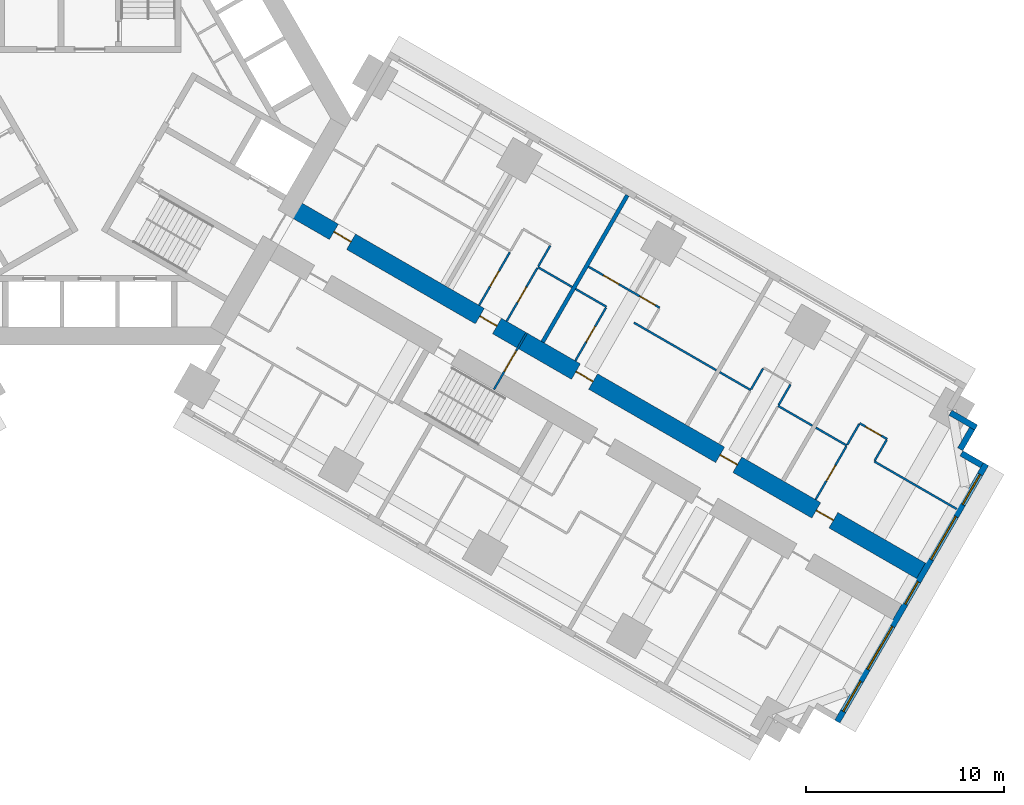
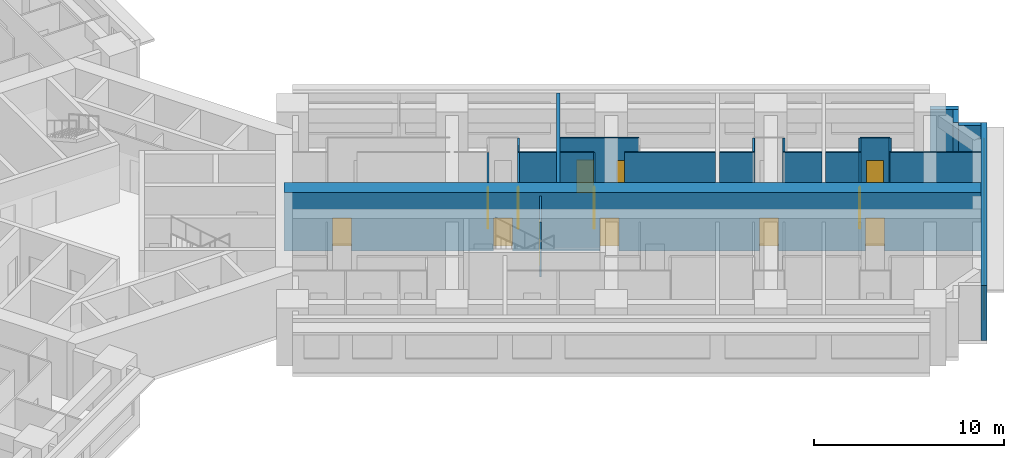
# One storey, part 12 of 16: 25 walls, 13 doors, 5 windows, 18 openings.
"""IFC4 building model written with IfcOpenShell, lengths in metres."""

from ifc_helpers import new_model, si_unit, direction, frame, frame_2d, origin, place, context, subcontext, project, spatial, rectangle, extrude, material, layer, layer_set, type_object, element, fill, save


model = new_model("IFC4")

# Units and contexts
model_context = context("Model", 3, precision=1e-05, world=origin(), true_north=direction((0.0, 1.0)))
body_context = subcontext(model_context, "Body", "Model", "MODEL_VIEW")
ifc_project = project(units=[si_unit("LENGTHUNIT", "METRE"), si_unit("AREAUNIT", "SQUARE_METRE"), si_unit("VOLUMEUNIT", "CUBIC_METRE"), si_unit("PLANEANGLEUNIT", "RADIAN"), si_unit("MASSUNIT", "GRAM", prefix="KILO")], contexts=[model_context])

# Site, building, storey
site_placement = place(None, origin())
site = spatial("IfcSite", under=ifc_project, at=site_placement, CompositionType="ELEMENT")
building_placement = place(site_placement, origin())
building = spatial("IfcBuilding", under=site, at=building_placement, Name="Impinga Residences", CompositionType="ELEMENT")
storey_placement = place(building_placement, frame((0.0, 0.0, 48.5)))
storey = spatial("IfcBuildingStorey", under=building, at=storey_placement, Name="L11", CompositionType="ELEMENT", Elevation=48.5)

# Wall, openings, doors
ifc_material_1 = material(Name="Concrete C70/85", Category="concrete")
ifc_layer_1 = layer(ifc_material_1, 0.89990234375)
ifc_layer_set_1 = layer_set([ifc_layer_1], Name="Concrete C70/85")
wall_type_1 = type_object("IfcWallType", Name="BW1 corridor buttress wall, L05 to L22 900", PredefinedType="SHEAR", material=ifc_layer_set_1)
wall_1_placement = place(storey_placement, frame((10.1103515625, -4.451416015625, 0.0), z_axis=(0.0, 0.0, 1.0), x_axis=(0.866025284237, -0.500000207062, 0.0)))
wall_1 = element("IfcWall", 1, at=wall_1_placement, inside=storey, type_object=wall_type_1, Name="Corridor wall BW1 EC L11", PredefinedType="SHEAR", context=body_context, shape_type="SweptSolid", body=[
    extrude(rectangle(XDim=36.75, YDim=0.89990234375, at=frame_2d((18.375, 0.0))), origin(), (0.0, 0.0, 1.0), 3.75),
])
opening_1_placement = place(wall_1_placement, frame((2.550048828125, 0.0, 0.0)))
opening_1 = element("IfcOpeningElement", 2, at=opening_1_placement, cuts=wall_1, Name="Opening D1", PredefinedType="OPENING", context=body_context, shape_type="SweptSolid", body=[
    extrude(rectangle(XDim=1.0, YDim=2.10009765625, at=frame_2d((0.5, 1.050048828125))), frame((0.0, 0.4599609375, 0.0), z_axis=(0.0, -1.0, 0.0), x_axis=(1.0, 0.0, 0.0)), (0.0, 0.0, 1.0), 0.919921875),
])
opening_2_placement = place(wall_1_placement, frame((11.050048828125, 0.0, 0.0)))
opening_2 = element("IfcOpeningElement", 3, at=opening_2_placement, cuts=wall_1, Name="Opening D1", PredefinedType="OPENING", context=body_context, shape_type="SweptSolid", body=[
    extrude(rectangle(XDim=1.0, YDim=2.10009765625, at=frame_2d((0.5, 1.050048828125))), frame((0.0, 0.4599609375, 0.0), z_axis=(0.0, -1.0, 0.0), x_axis=(1.0, 0.0, 0.0)), (0.0, 0.0, 1.0), 0.919921875),
])
opening_3_placement = place(wall_1_placement, frame((16.64990234375, 0.0, 0.0)))
opening_3 = element("IfcOpeningElement", 4, at=opening_3_placement, cuts=wall_1, Name="Opening D1", PredefinedType="OPENING", context=body_context, shape_type="SweptSolid", body=[
    extrude(rectangle(XDim=1.0, YDim=2.10009765625, at=frame_2d((0.5, 1.050048828125))), frame((0.0, 0.4599609375, 0.0), z_axis=(0.0, -1.0, 0.0), x_axis=(1.0, 0.0, 0.0)), (0.0, 0.0, 1.0), 0.919921875),
])
opening_4_placement = place(wall_1_placement, frame((25.050048828125, 0.0, 0.0)))
opening_4 = element("IfcOpeningElement", 5, at=opening_4_placement, cuts=wall_1, Name="Opening D1", PredefinedType="OPENING", context=body_context, shape_type="SweptSolid", body=[
    extrude(rectangle(XDim=1.0, YDim=2.10009765625, at=frame_2d((0.5, 1.050048828125))), frame((0.0, 0.4599609375, 0.0), z_axis=(0.0, -1.0, 0.0), x_axis=(1.0, 0.0, 0.0)), (0.0, 0.0, 1.0), 0.919921875),
])
opening_5_placement = place(wall_1_placement, frame((30.64990234375, 0.0, 0.0)))
opening_5 = element("IfcOpeningElement", 6, at=opening_5_placement, cuts=wall_1, Name="Opening D1", PredefinedType="OPENING", context=body_context, shape_type="SweptSolid", body=[
    extrude(rectangle(XDim=1.0, YDim=2.10009765625, at=frame_2d((0.5, 1.050048828125))), frame((0.0, 0.4599609375, 0.0), z_axis=(0.0, -1.0, 0.0), x_axis=(1.0, 0.0, 0.0)), (0.0, 0.0, 1.0), 0.919921875),
])
ifc_material_2 = material(Name="Timber door set", Category="wood")
door_type_1 = type_object("IfcDoorType", Name="D1 apartment entrance door 1000x2100", OperationType="SINGLE_SWING_LEFT", PredefinedType="DOOR", material=ifc_material_2)
door_1_placement = place(opening_1_placement, origin())
door_1 = element("IfcDoor", 7, at=door_1_placement, inside=storey, type_object=door_type_1, Name="Apartment L11-EA1 entrance", OperationType="SINGLE_SWING_LEFT", OverallHeight=2.10009765625, OverallWidth=1.0, PredefinedType="DOOR", context=body_context, shape_type="SweptSolid", body=[
    extrude(rectangle(XDim=1.0, YDim=2.10009765625, at=frame_2d((0.5, 1.050048828125))), frame((0.0, 0.02490234375, 0.0), z_axis=(0.0, -1.0, 0.0), x_axis=(1.0, 0.0, 0.0)), (0.0, 0.0, 1.0), 0.050048828125),
])
fill(opening_1, door_1)
door_2_placement = place(opening_2_placement, origin())
door_2 = element("IfcDoor", 8, at=door_2_placement, inside=storey, type_object=door_type_1, Name="Apartment L11-EA2 entrance", OperationType="SINGLE_SWING_LEFT", OverallHeight=2.10009765625, OverallWidth=1.0, PredefinedType="DOOR", context=body_context, shape_type="SweptSolid", body=[
    extrude(rectangle(XDim=1.0, YDim=2.10009765625, at=frame_2d((0.5, 1.050048828125))), frame((0.0, 0.02490234375, 0.0), z_axis=(0.0, -1.0, 0.0), x_axis=(1.0, 0.0, 0.0)), (0.0, 0.0, 1.0), 0.050048828125),
])
fill(opening_2, door_2)
door_3_placement = place(opening_3_placement, origin())
door_3 = element("IfcDoor", 9, at=door_3_placement, inside=storey, type_object=door_type_1, Name="Apartment L11-EA3 entrance", OperationType="SINGLE_SWING_LEFT", OverallHeight=2.10009765625, OverallWidth=1.0, PredefinedType="DOOR", context=body_context, shape_type="SweptSolid", body=[
    extrude(rectangle(XDim=1.0, YDim=2.10009765625, at=frame_2d((0.5, 1.050048828125))), frame((0.0, 0.02490234375, 0.0), z_axis=(0.0, -1.0, 0.0), x_axis=(1.0, 0.0, 0.0)), (0.0, 0.0, 1.0), 0.050048828125),
])
fill(opening_3, door_3)
door_4_placement = place(opening_4_placement, origin())
door_4 = element("IfcDoor", 10, at=door_4_placement, inside=storey, type_object=door_type_1, Name="Apartment L11-EA4 entrance", OperationType="SINGLE_SWING_RIGHT", OverallHeight=2.10009765625, OverallWidth=1.0, PredefinedType="DOOR", context=body_context, shape_type="SweptSolid", body=[
    extrude(rectangle(XDim=1.0, YDim=2.10009765625, at=frame_2d((0.5, 1.050048828125))), frame((0.0, 0.02490234375, 0.0), z_axis=(0.0, -1.0, 0.0), x_axis=(1.0, 0.0, 0.0)), (0.0, 0.0, 1.0), 0.050048828125),
])
fill(opening_4, door_4)
door_5_placement = place(opening_5_placement, origin())
door_5 = element("IfcDoor", 11, at=door_5_placement, inside=storey, type_object=door_type_1, Name="Apartment L11-EA5 entrance", OperationType="SINGLE_SWING_RIGHT", OverallHeight=2.10009765625, OverallWidth=1.0, PredefinedType="DOOR", context=body_context, shape_type="SweptSolid", body=[
    extrude(rectangle(XDim=1.0, YDim=2.10009765625, at=frame_2d((0.5, 1.050048828125))), frame((0.0, 0.02490234375, 0.0), z_axis=(0.0, -1.0, 0.0), x_axis=(1.0, 0.0, 0.0)), (0.0, 0.0, 1.0), 0.050048828125),
])
fill(opening_5, door_5)

# Wall, opening, door
ifc_material_3 = material(Name="Concrete blockwork", Category="masonry")
ifc_layer_2 = layer(ifc_material_3, 0.10009765625)
ifc_layer_set_2 = layer_set([ifc_layer_2], Name="CP1 core room partition, blockwork 100")
wall_type_2 = type_object("IfcWallType", Name="CP1 core room partition, blockwork 100", PredefinedType="PARTITIONING", material=ifc_layer_set_2)
wall_2_placement = place(storey_placement, frame((22.042724609375, -10.821044921875, 0.0), z_axis=(0.0, 0.0, 1.0), x_axis=(-0.50002983664, -0.866008176907, 0.0)))
wall_2 = element("IfcWall", 12, at=wall_2_placement, inside=storey, type_object=wall_type_2, Name="Core room partition, blockwork L11:E:SCR", PredefinedType="PARTITIONING", context=body_context, shape_type="SweptSolid", body=[
    extrude(rectangle(XDim=3.300048828125, YDim=0.10009765625, at=frame_2d((1.64990234375, 0.0))), origin(), (0.0, 0.0, 1.0), 3.530029296875),
])
opening_6_placement = place(wall_2_placement, frame((1.050048828125, 0.0, 0.0)))
opening_6 = element("IfcOpeningElement", 13, at=opening_6_placement, cuts=wall_2, Name="Opening D3", PredefinedType="OPENING", context=body_context, shape_type="SweptSolid", body=[
    extrude(rectangle(XDim=1.199951171875, YDim=2.10009765625, at=frame_2d((0.60009765625, 1.050048828125))), frame((0.0, 0.06005859375, 0.0), z_axis=(0.0, -1.0, 0.0), x_axis=(1.0, 0.0, 0.0)), (0.0, 0.0, 1.0), 0.1201171875),
])
door_type_2 = type_object("IfcDoorType", Name="D3 room door, leaf and a half 1200x2100", OperationType="DOUBLE_SWING_LEFT", PredefinedType="DOOR", material=ifc_material_2)
door_6_placement = place(opening_6_placement, origin())
door_6 = element("IfcDoor", 14, at=door_6_placement, inside=storey, type_object=door_type_2, Name="Corridor smoke door E", OperationType="DOUBLE_SWING_LEFT", OverallHeight=2.10009765625, OverallWidth=1.199951171875, PredefinedType="DOOR", context=body_context, shape_type="SweptSolid", body=[
    extrude(rectangle(XDim=1.199951171875, YDim=2.10009765625, at=frame_2d((0.60009765625, 1.050048828125))), frame((0.0, 0.02490234375, 0.0), z_axis=(0.0, -1.0, 0.0), x_axis=(1.0, 0.0, 0.0)), (0.0, 0.0, 1.0), 0.050048828125),
])
fill(opening_6, door_6)

# Walls
ifc_material_4 = material(Name="Terracotta rainscreen on blockwork", Category="masonry")
ifc_layer_3 = layer(ifc_material_4, 0.300048828125)
ifc_layer_set_3 = layer_set([ifc_layer_3], Name="EW1 external wall, terracotta rainscreen on blockwork 300")
wall_type_3 = type_object("IfcWallType", Name="EW1 external wall, terracotta rainscreen on blockwork 300", PredefinedType="SOLIDWALL", material=ifc_layer_set_3)
wall_3_placement = place(storey_placement, frame((43.42333984375, -14.8515625, 0.0), z_axis=(0.0, 0.0, 1.0), x_axis=(0.866031096941, -0.499990139034, 0.0)))
element("IfcWall", 15, at=wall_3_placement, inside=storey, type_object=wall_type_3, Name="External wall EW1 L11", PredefinedType="SOLIDWALL", context=body_context, shape_type="SweptSolid", body=[
    extrude(rectangle(XDim=1.5, YDim=0.300048828125, at=frame_2d((0.75, 0.0))), origin(), (0.0, 0.0, 1.0), 3.530029296875),
])
wall_4_placement = place(storey_placement, frame((44.517578125, -15.65625, 0.0), z_axis=(0.0, 0.0, 1.0), x_axis=(-0.500033551112, -0.866006032174, 0.0)))
element("IfcWall", 16, at=wall_4_placement, inside=storey, type_object=wall_type_3, Name="External wall EW1 L11", PredefinedType="SOLIDWALL", context=body_context, shape_type="SweptSolid", body=[
    extrude(rectangle(XDim=1.2001953125, YDim=0.300048828125, at=frame_2d((0.60009765625, 0.0))), origin(), (0.0, 0.0, 1.0), 3.530029296875),
])
wall_5_placement = place(storey_placement, frame((43.976806640625, -16.903076171875, 0.0), z_axis=(0.0, 0.0, 1.0), x_axis=(0.866059708757, -0.499940577336, 0.0)))
element("IfcWall", 17, at=wall_5_placement, inside=storey, type_object=wall_type_3, Name="External wall EW1 L11", PredefinedType="SOLIDWALL", context=body_context, shape_type="SweptSolid", body=[
    extrude(rectangle(XDim=1.195068359375, YDim=0.300048828125, at=frame_2d((0.59765625, 0.0))), origin(), (0.0, 0.0, 1.0), 3.530029296875),
])

# Wall, openings, windows
wall_6_placement = place(storey_placement, frame((45.216552734375, -17.445556640625, 0.0), z_axis=(0.0, 0.0, 1.0), x_axis=(-0.499997186618, -0.866027028085, 0.0)))
wall_6 = element("IfcWall", 18, at=wall_6_placement, inside=storey, type_object=wall_type_3, Name="External wall EW1 L11", PredefinedType="SOLIDWALL", context=body_context, shape_type="SweptSolid", body=[
    extrude(rectangle(XDim=15.0, YDim=0.300048828125, at=frame_2d((7.5, 0.0))), origin(), (0.0, 0.0, 1.0), 3.530029296875),
])
opening_7_placement = place(wall_6_placement, frame((0.60009765625, 0.0, 0.89990234375)))
opening_7 = element("IfcOpeningElement", 19, at=opening_7_placement, cuts=wall_6, Name="Opening W1", PredefinedType="OPENING", context=body_context, shape_type="SweptSolid", body=[
    extrude(rectangle(XDim=1.75, YDim=2.050048828125, at=frame_2d((0.875, 1.02490234375))), frame((0.0, 0.159912109375, 0.0), z_axis=(0.0, -1.0, 0.0), x_axis=(1.0, 0.0, 0.0)), (0.0, 0.0, 1.0), 0.320068359375),
])
opening_8_placement = place(wall_6_placement, frame((3.050048828125, 0.0, 0.89990234375)))
opening_8 = element("IfcOpeningElement", 20, at=opening_8_placement, cuts=wall_6, Name="Opening W2", PredefinedType="OPENING", context=body_context, shape_type="SweptSolid", body=[
    extrude(rectangle(XDim=2.5, YDim=2.050048828125, at=frame_2d((1.25, 1.02490234375))), frame((0.0, 0.159912109375, 0.0), z_axis=(0.0, -1.0, 0.0), x_axis=(1.0, 0.0, 0.0)), (0.0, 0.0, 1.0), 0.320068359375),
])
opening_9_placement = place(wall_6_placement, frame((6.85009765625, 0.0, 0.89990234375)))
opening_9 = element("IfcOpeningElement", 21, at=opening_9_placement, cuts=wall_6, Name="Opening WE1", PredefinedType="OPENING", context=body_context, shape_type="SweptSolid", body=[
    extrude(rectangle(XDim=1.300048828125, YDim=2.050048828125, at=frame_2d((0.64990234375, 1.02490234375))), frame((0.0, 0.159912109375, 0.0), z_axis=(0.0, -1.0, 0.0), x_axis=(1.0, 0.0, 0.0)), (0.0, 0.0, 1.0), 0.320068359375),
])
opening_10_placement = place(wall_6_placement, frame((9.449951171875, 0.0, 0.89990234375)))
opening_10 = element("IfcOpeningElement", 22, at=opening_10_placement, cuts=wall_6, Name="Opening W2", PredefinedType="OPENING", context=body_context, shape_type="SweptSolid", body=[
    extrude(rectangle(XDim=2.5, YDim=2.050048828125, at=frame_2d((1.25, 1.02490234375))), frame((0.0, 0.159912109375, 0.0), z_axis=(0.0, -1.0, 0.0), x_axis=(1.0, 0.0, 0.0)), (0.0, 0.0, 1.0), 0.320068359375),
])
opening_11_placement = place(wall_6_placement, frame((12.64990234375, 0.0, 0.89990234375)))
opening_11 = element("IfcOpeningElement", 23, at=opening_11_placement, cuts=wall_6, Name="Opening W1", PredefinedType="OPENING", context=body_context, shape_type="SweptSolid", body=[
    extrude(rectangle(XDim=1.75, YDim=2.050048828125, at=frame_2d((0.875, 1.02490234375))), frame((0.0, 0.159912109375, 0.0), z_axis=(0.0, -1.0, 0.0), x_axis=(1.0, 0.0, 0.0)), (0.0, 0.0, 1.0), 0.320068359375),
])
ifc_material_5 = material(Name="Aluminium window, clear double glazing", Category="aluminium")
window_type_1 = type_object("IfcWindowType", Name="W1 ribbon window 1750x2050", PartitioningType="SINGLE_PANEL", PredefinedType="WINDOW", material=ifc_material_5)
window_1_placement = place(opening_7_placement, origin())
window_1 = element("IfcWindow", 24, at=window_1_placement, inside=storey, type_object=window_type_1, Name="Window L11", OverallHeight=2.050048828125, OverallWidth=1.75, PartitioningType="SINGLE_PANEL", PredefinedType="WINDOW", context=body_context, shape_type="SweptSolid", body=[
    extrude(rectangle(XDim=1.75, YDim=2.050048828125, at=frame_2d((0.875, 1.02490234375))), frame((0.0, 0.030029296875, 0.0), z_axis=(0.0, -1.0, 0.0), x_axis=(1.0, 0.0, 0.0)), (0.0, 0.0, 1.0), 0.06005859375),
])
fill(opening_7, window_1)
window_2_placement = place(opening_11_placement, origin())
window_2 = element("IfcWindow", 25, at=window_2_placement, inside=storey, type_object=window_type_1, Name="Window L11", OverallHeight=2.050048828125, OverallWidth=1.75, PartitioningType="SINGLE_PANEL", PredefinedType="WINDOW", context=body_context, shape_type="SweptSolid", body=[
    extrude(rectangle(XDim=1.75, YDim=2.050048828125, at=frame_2d((0.875, 1.02490234375))), frame((0.0, 0.030029296875, 0.0), z_axis=(0.0, -1.0, 0.0), x_axis=(1.0, 0.0, 0.0)), (0.0, 0.0, 1.0), 0.06005859375),
])
fill(opening_11, window_2)
window_type_2 = type_object("IfcWindowType", Name="W2 ribbon window 2500x2050", PartitioningType="SINGLE_PANEL", PredefinedType="WINDOW", material=ifc_material_5)
window_3_placement = place(opening_8_placement, origin())
window_3 = element("IfcWindow", 26, at=window_3_placement, inside=storey, type_object=window_type_2, Name="Window L11", OverallHeight=2.050048828125, OverallWidth=2.5, PartitioningType="SINGLE_PANEL", PredefinedType="WINDOW", context=body_context, shape_type="SweptSolid", body=[
    extrude(rectangle(XDim=2.5, YDim=2.050048828125, at=frame_2d((1.25, 1.02490234375))), frame((0.0, 0.030029296875, 0.0), z_axis=(0.0, -1.0, 0.0), x_axis=(1.0, 0.0, 0.0)), (0.0, 0.0, 1.0), 0.06005859375),
])
fill(opening_8, window_3)
window_4_placement = place(opening_10_placement, origin())
window_4 = element("IfcWindow", 27, at=window_4_placement, inside=storey, type_object=window_type_2, Name="Window L11", OverallHeight=2.050048828125, OverallWidth=2.5, PartitioningType="SINGLE_PANEL", PredefinedType="WINDOW", context=body_context, shape_type="SweptSolid", body=[
    extrude(rectangle(XDim=2.5, YDim=2.050048828125, at=frame_2d((1.25, 1.02490234375))), frame((0.0, 0.030029296875, 0.0), z_axis=(0.0, -1.0, 0.0), x_axis=(1.0, 0.0, 0.0)), (0.0, 0.0, 1.0), 0.06005859375),
])
fill(opening_10, window_4)
window_type_3 = type_object("IfcWindowType", Name="WE1 corridor window 1300x2050", PartitioningType="SINGLE_PANEL", PredefinedType="WINDOW", material=ifc_material_5)
window_5_placement = place(opening_9_placement, origin())
window_5 = element("IfcWindow", 28, at=window_5_placement, inside=storey, type_object=window_type_3, Name="Window L11", OverallHeight=2.050048828125, OverallWidth=1.300048828125, PartitioningType="SINGLE_PANEL", PredefinedType="WINDOW", context=body_context, shape_type="SweptSolid", body=[
    extrude(rectangle(XDim=1.300048828125, YDim=2.050048828125, at=frame_2d((0.64990234375, 1.02490234375))), frame((0.0, 0.030029296875, 0.0), z_axis=(0.0, -1.0, 0.0), x_axis=(1.0, 0.0, 0.0)), (0.0, 0.0, 1.0), 0.06005859375),
])
fill(opening_9, window_5)

# Walls
ifc_material_6 = material(Name="Gypsum board on steel studs", Category="steel")
ifc_layer_4 = layer(ifc_material_6, 0.10009765625)
ifc_layer_set_4 = layer_set([ifc_layer_4], Name="Gypsum board on steel studs")
wall_type_4 = type_object("IfcWallType", Name="IP1 partition 100", PredefinedType="PARTITIONING", material=ifc_layer_set_4)
wall_7_placement = place(storey_placement, frame((22.605712890625, -7.5087890625, 0.0), z_axis=(0.0, 0.0, 1.0), x_axis=(0.866010750942, -0.50002537861, 0.0)))
element("IfcWall", 29, at=wall_7_placement, inside=storey, type_object=wall_type_4, Name="Partition L11-EA2:DIV1", PredefinedType="PARTITIONING", context=body_context, shape_type="SweptSolid", body=[
    extrude(rectangle(XDim=2.0, YDim=0.10009765625, at=frame_2d((1.0, 0.0))), origin(), (0.0, 0.0, 1.0), 3.530029296875),
])
wall_8_placement = place(storey_placement, frame((22.630615234375, -7.465576171875, 0.0), z_axis=(0.0, 0.0, 1.0), x_axis=(0.500033551112, 0.866006032174, 0.0)))
element("IfcWall", 30, at=wall_8_placement, inside=storey, type_object=wall_type_4, Name="Partition L11-EA2:SE1", PredefinedType="PARTITIONING", context=body_context, shape_type="SweptSolid", body=[
    extrude(rectangle(XDim=1.2001953125, YDim=0.10009765625, at=frame_2d((0.60009765625, 0.0))), origin(), (0.0, 0.0, 1.0), 3.530029296875),
])

# Wall, opening, door
wall_9_placement = place(storey_placement, frame((19.64501953125, -9.436767578125, 0.0), z_axis=(0.0, 0.0, 1.0), x_axis=(0.500026960575, 0.86600983753, 0.0)))
wall_9 = element("IfcWall", 31, at=wall_9_placement, inside=storey, type_object=wall_type_4, Name="Partition L11-EA2:IB1", PredefinedType="PARTITIONING", context=body_context, shape_type="SweptSolid", body=[
    extrude(rectangle(XDim=3.099853515625, YDim=0.10009765625, at=frame_2d((1.5498046875, 0.0))), origin(), (0.0, 0.0, 1.0), 3.530029296875),
])
opening_12_placement = place(wall_9_placement, frame((1.10009765625, 0.0, 0.0)))
opening_12 = element("IfcOpeningElement", 32, at=opening_12_placement, cuts=wall_9, Name="Opening D2", PredefinedType="OPENING", context=body_context, shape_type="SweptSolid", body=[
    extrude(rectangle(XDim=0.89990234375, YDim=2.10009765625, at=frame_2d((0.449951171875, 1.050048828125))), frame((0.0, 0.06005859375, 0.0), z_axis=(0.0, -1.0, 0.0), x_axis=(1.0, 0.0, 0.0)), (0.0, 0.0, 1.0), 0.1201171875),
])
door_type_3 = type_object("IfcDoorType", Name="D2 internal door 900x2100", OperationType="SINGLE_SWING_LEFT", PredefinedType="DOOR", material=ifc_material_2)
door_7_placement = place(opening_12_placement, origin())
door_7 = element("IfcDoor", 33, at=door_7_placement, inside=storey, type_object=door_type_3, Name="Apartment L11-EA2 bathroom door", OperationType="SINGLE_SWING_LEFT", OverallHeight=2.10009765625, OverallWidth=0.89990234375, PredefinedType="DOOR", context=body_context, shape_type="SweptSolid", body=[
    extrude(rectangle(XDim=0.89990234375, YDim=2.10009765625, at=frame_2d((0.449951171875, 1.050048828125))), frame((0.0, 0.02490234375, 0.0), z_axis=(0.0, -1.0, 0.0), x_axis=(1.0, 0.0, 0.0)), (0.0, 0.0, 1.0), 0.050048828125),
])
fill(opening_12, door_7)

wall_10_placement = place(storey_placement, frame((21.03076171875, -10.23681640625, 0.0), z_axis=(0.0, 0.0, 1.0), x_axis=(0.500026960575, 0.86600983753, 0.0)))
wall_10 = element("IfcWall", 34, at=wall_10_placement, inside=storey, type_object=wall_type_4, Name="Partition L11-EA2:IB2", PredefinedType="PARTITIONING", context=body_context, shape_type="SweptSolid", body=[
    extrude(rectangle(XDim=3.099853515625, YDim=0.10009765625, at=frame_2d((1.5498046875, 0.0))), origin(), (0.0, 0.0, 1.0), 3.530029296875),
])
opening_13_placement = place(wall_10_placement, frame((1.10009765625, 0.0, 0.0)))
opening_13 = element("IfcOpeningElement", 35, at=opening_13_placement, cuts=wall_10, Name="Opening D2", PredefinedType="OPENING", context=body_context, shape_type="SweptSolid", body=[
    extrude(rectangle(XDim=0.89990234375, YDim=2.10009765625, at=frame_2d((0.449951171875, 1.050048828125))), frame((0.0, 0.06005859375, 0.0), z_axis=(0.0, -1.0, 0.0), x_axis=(1.0, 0.0, 0.0)), (0.0, 0.0, 1.0), 0.1201171875),
])
door_8_placement = place(opening_13_placement, origin())
door_8 = element("IfcDoor", 36, at=door_8_placement, inside=storey, type_object=door_type_3, Name="Apartment L11-EA2 WC door", OperationType="SINGLE_SWING_LEFT", OverallHeight=2.10009765625, OverallWidth=0.89990234375, PredefinedType="DOOR", context=body_context, shape_type="SweptSolid", body=[
    extrude(rectangle(XDim=0.89990234375, YDim=2.10009765625, at=frame_2d((0.449951171875, 1.050048828125))), frame((0.0, 0.02490234375, 0.0), z_axis=(0.0, -1.0, 0.0), x_axis=(1.0, 0.0, 0.0)), (0.0, 0.0, 1.0), 0.050048828125),
])
fill(opening_13, door_8)

# Walls
wall_11_placement = place(storey_placement, frame((24.510986328125, -8.60888671875, 0.0), z_axis=(0.0, 0.0, 1.0), x_axis=(0.866047807691, -0.499961193289, 0.0)))
element("IfcWall", 37, at=wall_11_placement, inside=storey, type_object=wall_type_4, Name="Partition L11-EA3:DIV0", PredefinedType="PARTITIONING", context=body_context, shape_type="SweptSolid", body=[
    extrude(rectangle(XDim=1.800048828125, YDim=0.10009765625, at=frame_2d((0.89990234375, 0.0))), origin(), (0.0, 0.0, 1.0), 3.530029296875),
])
wall_12_placement = place(storey_placement, frame((27.45556640625, -10.308837890625, 0.0), z_axis=(0.0, 0.0, 1.0), x_axis=(0.866024647952, -0.500001309137, 0.0)))
element("IfcWall", 38, at=wall_12_placement, inside=storey, type_object=wall_type_4, Name="Partition L11-EA3:DIV1", PredefinedType="PARTITIONING", context=body_context, shape_type="SweptSolid", body=[
    extrude(rectangle(XDim=4.7998046875, YDim=0.10009765625, at=frame_2d((2.39990234375, 0.0))), origin(), (0.0, 0.0, 1.0), 3.530029296875),
])

# Wall, openings, doors
wall_13_placement = place(storey_placement, frame((25.160888671875, -7.48291015625, 0.0), z_axis=(0.0, 0.0, 1.0), x_axis=(0.866004344652, -0.500036473714, 0.0)))
wall_13 = element("IfcWall", 39, at=wall_13_placement, inside=storey, type_object=wall_type_4, Name="Partition L11-EA3:STRIP", PredefinedType="PARTITIONING", context=body_context, shape_type="SweptSolid", body=[
    extrude(rectangle(XDim=4.150146484375, YDim=0.10009765625, at=frame_2d((2.0751953125, 0.0))), origin(), (0.0, 0.0, 1.0), 3.530029296875),
])
opening_14_placement = place(wall_13_placement, frame((0.875, 0.0, 0.0)))
opening_14 = element("IfcOpeningElement", 40, at=opening_14_placement, cuts=wall_13, Name="Opening D2", PredefinedType="OPENING", context=body_context, shape_type="SweptSolid", body=[
    extrude(rectangle(XDim=0.89990234375, YDim=2.10009765625, at=frame_2d((0.449951171875, 1.050048828125))), frame((0.0, 0.06005859375, 0.0), z_axis=(0.0, -1.0, 0.0), x_axis=(1.0, 0.0, 0.0)), (0.0, 0.0, 1.0), 0.1201171875),
])
opening_15_placement = place(wall_13_placement, frame((3.0, 0.0, 0.0)))
opening_15 = element("IfcOpeningElement", 41, at=opening_15_placement, cuts=wall_13, Name="Opening D2", PredefinedType="OPENING", context=body_context, shape_type="SweptSolid", body=[
    extrude(rectangle(XDim=0.89990234375, YDim=2.10009765625, at=frame_2d((0.449951171875, 1.050048828125))), frame((0.0, 0.06005859375, 0.0), z_axis=(0.0, -1.0, 0.0), x_axis=(1.0, 0.0, 0.0)), (0.0, 0.0, 1.0), 0.1201171875),
])
door_9_placement = place(opening_14_placement, origin())
door_9 = element("IfcDoor", 42, at=door_9_placement, inside=storey, type_object=door_type_3, Name="Apartment L11-EA3 room door", OperationType="SINGLE_SWING_LEFT", OverallHeight=2.10009765625, OverallWidth=0.89990234375, PredefinedType="DOOR", context=body_context, shape_type="SweptSolid", body=[
    extrude(rectangle(XDim=0.89990234375, YDim=2.10009765625, at=frame_2d((0.449951171875, 1.050048828125))), frame((0.0, 0.02490234375, 0.0), z_axis=(0.0, -1.0, 0.0), x_axis=(1.0, 0.0, 0.0)), (0.0, 0.0, 1.0), 0.050048828125),
])
fill(opening_14, door_9)
door_10_placement = place(opening_15_placement, origin())
door_10 = element("IfcDoor", 43, at=door_10_placement, inside=storey, type_object=door_type_3, Name="Apartment L11-EA3 room door", OperationType="SINGLE_SWING_RIGHT", OverallHeight=2.10009765625, OverallWidth=0.89990234375, PredefinedType="DOOR", context=body_context, shape_type="SweptSolid", body=[
    extrude(rectangle(XDim=0.89990234375, YDim=2.10009765625, at=frame_2d((0.449951171875, 1.050048828125))), frame((0.0, 0.02490234375, 0.0), z_axis=(0.0, -1.0, 0.0), x_axis=(1.0, 0.0, 0.0)), (0.0, 0.0, 1.0), 0.050048828125),
])
fill(opening_15, door_10)

# Wall, opening, door
wall_14_placement = place(storey_placement, frame((24.494873046875, -12.23681640625, 0.0), z_axis=(0.0, 0.0, 1.0), x_axis=(0.500026960575, 0.86600983753, 0.0)))
wall_14 = element("IfcWall", 44, at=wall_14_placement, inside=storey, type_object=wall_type_4, Name="Partition L11-EA3:IB1", PredefinedType="PARTITIONING", context=body_context, shape_type="SweptSolid", body=[
    extrude(rectangle(XDim=3.099853515625, YDim=0.10009765625, at=frame_2d((1.5498046875, 0.0))), origin(), (0.0, 0.0, 1.0), 3.530029296875),
])
opening_16_placement = place(wall_14_placement, frame((1.10009765625, 0.0, 0.0)))
opening_16 = element("IfcOpeningElement", 45, at=opening_16_placement, cuts=wall_14, Name="Opening D2", PredefinedType="OPENING", context=body_context, shape_type="SweptSolid", body=[
    extrude(rectangle(XDim=0.89990234375, YDim=2.10009765625, at=frame_2d((0.449951171875, 1.050048828125))), frame((0.0, 0.06005859375, 0.0), z_axis=(0.0, -1.0, 0.0), x_axis=(1.0, 0.0, 0.0)), (0.0, 0.0, 1.0), 0.1201171875),
])
door_11_placement = place(opening_16_placement, origin())
door_11 = element("IfcDoor", 46, at=door_11_placement, inside=storey, type_object=door_type_3, Name="Apartment L11-EA3 bathroom door", OperationType="SINGLE_SWING_LEFT", OverallHeight=2.10009765625, OverallWidth=0.89990234375, PredefinedType="DOOR", context=body_context, shape_type="SweptSolid", body=[
    extrude(rectangle(XDim=0.89990234375, YDim=2.10009765625, at=frame_2d((0.449951171875, 1.050048828125))), frame((0.0, 0.02490234375, 0.0), z_axis=(0.0, -1.0, 0.0), x_axis=(1.0, 0.0, 0.0)), (0.0, 0.0, 1.0), 0.050048828125),
])
fill(opening_16, door_11)

# Walls
wall_15_placement = place(storey_placement, frame((31.78564453125, -12.808837890625, 0.0), z_axis=(0.0, 0.0, 1.0), x_axis=(0.866047807691, -0.499961193289, 0.0)))
element("IfcWall", 47, at=wall_15_placement, inside=storey, type_object=wall_type_4, Name="Partition L11-EA4:DIV0", PredefinedType="PARTITIONING", context=body_context, shape_type="SweptSolid", body=[
    extrude(rectangle(XDim=1.800048828125, YDim=0.10009765625, at=frame_2d((0.89990234375, 0.0))), origin(), (0.0, 0.0, 1.0), 3.530029296875),
])
wall_16_placement = place(storey_placement, frame((34.72998046875, -14.5087890625, 0.0), z_axis=(0.0, 0.0, 1.0), x_axis=(0.866041268327, -0.499972520799, 0.0)))
element("IfcWall", 48, at=wall_16_placement, inside=storey, type_object=wall_type_4, Name="Partition L11-EA4:DIV1", PredefinedType="PARTITIONING", context=body_context, shape_type="SweptSolid", body=[
    extrude(rectangle(XDim=2.0, YDim=0.10009765625, at=frame_2d((1.0, 0.0))), origin(), (0.0, 0.0, 1.0), 3.530029296875),
])
wall_17_placement = place(storey_placement, frame((33.369384765625, -13.66552734375, 0.0), z_axis=(0.0, 0.0, 1.0), x_axis=(0.500033551112, 0.866006032174, 0.0)))
element("IfcWall", 49, at=wall_17_placement, inside=storey, type_object=wall_type_4, Name="Partition L11-EA4:SE0", PredefinedType="PARTITIONING", context=body_context, shape_type="SweptSolid", body=[
    extrude(rectangle(XDim=1.2001953125, YDim=0.10009765625, at=frame_2d((0.60009765625, 0.0))), origin(), (0.0, 0.0, 1.0), 3.530029296875),
])
wall_18_placement = place(storey_placement, frame((34.755126953125, -14.465576171875, 0.0), z_axis=(0.0, 0.0, 1.0), x_axis=(0.499880961361, 0.866094119867, 0.0)))
element("IfcWall", 50, at=wall_18_placement, inside=storey, type_object=wall_type_4, Name="Partition L11-EA4:SE1", PredefinedType="PARTITIONING", context=body_context, shape_type="SweptSolid", body=[
    extrude(rectangle(XDim=1.199951171875, YDim=0.10009765625, at=frame_2d((0.60009765625, 0.0))), origin(), (0.0, 0.0, 1.0), 3.530029296875),
])
wall_19_placement = place(storey_placement, frame((36.63525390625, -15.60888671875, 0.0), z_axis=(0.0, 0.0, 1.0), x_axis=(0.866047807691, -0.499961193289, 0.0)))
element("IfcWall", 51, at=wall_19_placement, inside=storey, type_object=wall_type_4, Name="Partition L11-EA5:DIV0", PredefinedType="PARTITIONING", context=body_context, shape_type="SweptSolid", body=[
    extrude(rectangle(XDim=1.800048828125, YDim=0.10009765625, at=frame_2d((0.89990234375, 0.0))), origin(), (0.0, 0.0, 1.0), 3.530029296875),
])
wall_20_placement = place(storey_placement, frame((39.579833984375, -17.308837890625, 0.0), z_axis=(0.0, 0.0, 1.0), x_axis=(0.866037363387, -0.499979284789, 0.0)))
element("IfcWall", 52, at=wall_20_placement, inside=storey, type_object=wall_type_4, Name="Partition L11-EA5:DIV1", PredefinedType="PARTITIONING", context=body_context, shape_type="SweptSolid", body=[
    extrude(rectangle(XDim=4.800048828125, YDim=0.10009765625, at=frame_2d((2.39990234375, 0.0))), origin(), (0.0, 0.0, 1.0), 3.530029296875),
])

# Wall, opening, door
wall_21_placement = place(storey_placement, frame((38.84423828125, -15.383056640625, 0.0), z_axis=(0.0, 0.0, 1.0), x_axis=(0.865989903783, -0.500061482766, 0.0)))
wall_21 = element("IfcWall", 53, at=wall_21_placement, inside=storey, type_object=wall_type_4, Name="Partition L11-EA5:STRIP", PredefinedType="PARTITIONING", context=body_context, shape_type="SweptSolid", body=[
    extrude(rectangle(XDim=1.599853515625, YDim=0.10009765625, at=frame_2d((0.7998046875, 0.0))), origin(), (0.0, 0.0, 1.0), 3.530029296875),
])
opening_17_placement = place(wall_21_placement, frame((0.35009765625, 0.0, 0.0)))
opening_17 = element("IfcOpeningElement", 54, at=opening_17_placement, cuts=wall_21, Name="Opening D2", PredefinedType="OPENING", context=body_context, shape_type="SweptSolid", body=[
    extrude(rectangle(XDim=0.89990234375, YDim=2.10009765625, at=frame_2d((0.449951171875, 1.050048828125))), frame((0.0, 0.06005859375, 0.0), z_axis=(0.0, -1.0, 0.0), x_axis=(1.0, 0.0, 0.0)), (0.0, 0.0, 1.0), 0.1201171875),
])
door_12_placement = place(opening_17_placement, origin())
door_12 = element("IfcDoor", 55, at=door_12_placement, inside=storey, type_object=door_type_3, Name="Apartment L11-EA5 room door", OperationType="SINGLE_SWING_LEFT", OverallHeight=2.10009765625, OverallWidth=0.89990234375, PredefinedType="DOOR", context=body_context, shape_type="SweptSolid", body=[
    extrude(rectangle(XDim=0.89990234375, YDim=2.10009765625, at=frame_2d((0.449951171875, 1.050048828125))), frame((0.0, 0.02490234375, 0.0), z_axis=(0.0, -1.0, 0.0), x_axis=(1.0, 0.0, 0.0)), (0.0, 0.0, 1.0), 0.050048828125),
])
fill(opening_17, door_12)

# Walls
wall_22_placement = place(storey_placement, frame((38.21923828125, -16.465576171875, 0.0), z_axis=(0.0, 0.0, 1.0), x_axis=(0.499880961361, 0.866094119867, 0.0)))
element("IfcWall", 56, at=wall_22_placement, inside=storey, type_object=wall_type_4, Name="Partition L11-EA5:SE0", PredefinedType="PARTITIONING", context=body_context, shape_type="SweptSolid", body=[
    extrude(rectangle(XDim=1.199951171875, YDim=0.10009765625, at=frame_2d((0.60009765625, 0.0))), origin(), (0.0, 0.0, 1.0), 3.530029296875),
])
wall_23_placement = place(storey_placement, frame((39.604736328125, -17.265625, 0.0), z_axis=(0.0, 0.0, 1.0), x_axis=(0.500033551112, 0.866006032174, 0.0)))
element("IfcWall", 57, at=wall_23_placement, inside=storey, type_object=wall_type_4, Name="Partition L11-EA5:SE1", PredefinedType="PARTITIONING", context=body_context, shape_type="SweptSolid", body=[
    extrude(rectangle(XDim=1.2001953125, YDim=0.10009765625, at=frame_2d((0.60009765625, 0.0))), origin(), (0.0, 0.0, 1.0), 3.530029296875),
])

# Wall, opening, door
wall_24_placement = place(storey_placement, frame((36.619140625, -19.23681640625, 0.0), z_axis=(0.0, 0.0, 1.0), x_axis=(0.500026960575, 0.86600983753, 0.0)))
wall_24 = element("IfcWall", 58, at=wall_24_placement, inside=storey, type_object=wall_type_4, Name="Partition L11-EA5:IB1", PredefinedType="PARTITIONING", context=body_context, shape_type="SweptSolid", body=[
    extrude(rectangle(XDim=3.099853515625, YDim=0.10009765625, at=frame_2d((1.5498046875, 0.0))), origin(), (0.0, 0.0, 1.0), 3.530029296875),
])
opening_18_placement = place(wall_24_placement, frame((1.10009765625, 0.0, 0.0)))
opening_18 = element("IfcOpeningElement", 59, at=opening_18_placement, cuts=wall_24, Name="Opening D2", PredefinedType="OPENING", context=body_context, shape_type="SweptSolid", body=[
    extrude(rectangle(XDim=0.89990234375, YDim=2.10009765625, at=frame_2d((0.449951171875, 1.050048828125))), frame((0.0, 0.06005859375, 0.0), z_axis=(0.0, -1.0, 0.0), x_axis=(1.0, 0.0, 0.0)), (0.0, 0.0, 1.0), 0.1201171875),
])
door_13_placement = place(opening_18_placement, origin())
door_13 = element("IfcDoor", 60, at=door_13_placement, inside=storey, type_object=door_type_3, Name="Apartment L11-EA5 bathroom door", OperationType="SINGLE_SWING_LEFT", OverallHeight=2.10009765625, OverallWidth=0.89990234375, PredefinedType="DOOR", context=body_context, shape_type="SweptSolid", body=[
    extrude(rectangle(XDim=0.89990234375, YDim=2.10009765625, at=frame_2d((0.449951171875, 1.050048828125))), frame((0.0, 0.02490234375, 0.0), z_axis=(0.0, -1.0, 0.0), x_axis=(1.0, 0.0, 0.0)), (0.0, 0.0, 1.0), 0.050048828125),
])
fill(opening_18, door_13)

# Wall
ifc_layer_5 = layer(ifc_material_3, 0.199951171875)
ifc_layer_set_5 = layer_set([ifc_layer_5], Name="PW1 party wall between apartments 200")
wall_type_5 = type_object("IfcWallType", Name="PW1 party wall between apartments 200", PredefinedType="SOLIDWALL", material=ifc_layer_set_5)
wall_25_placement = place(storey_placement, frame((22.849365234375, -11.286865234375, 0.0), z_axis=(0.0, 0.0, 1.0), x_axis=(0.499990227581, 0.86603104582, 0.0)))
element("IfcWall", 61, at=wall_25_placement, inside=storey, type_object=wall_type_5, Name="Party wall between apartments L11-EA2:PARTY", PredefinedType="SOLIDWALL", context=body_context, shape_type="SweptSolid", body=[
    extrude(rectangle(XDim=8.550048828125, YDim=0.199951171875, at=frame_2d((4.27490234375, 0.0))), origin(), (0.0, 0.0, 1.0), 3.530029296875),
])

save(model, "model.ifc")
